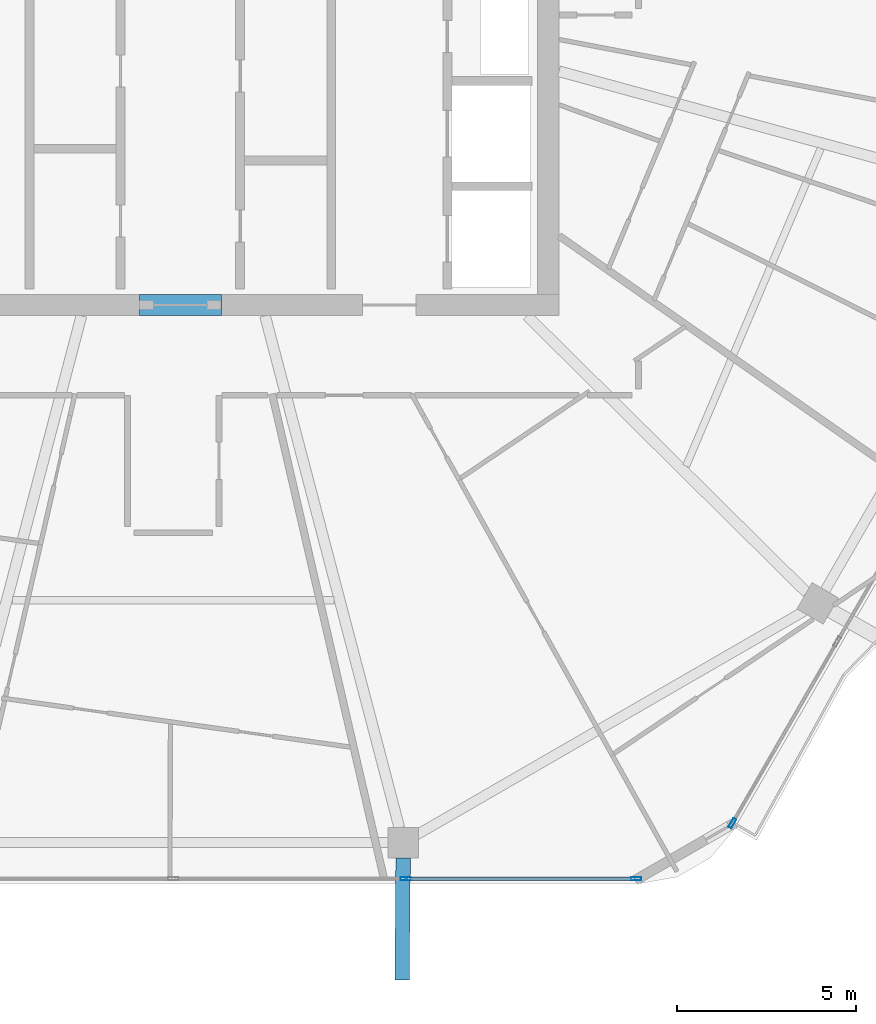
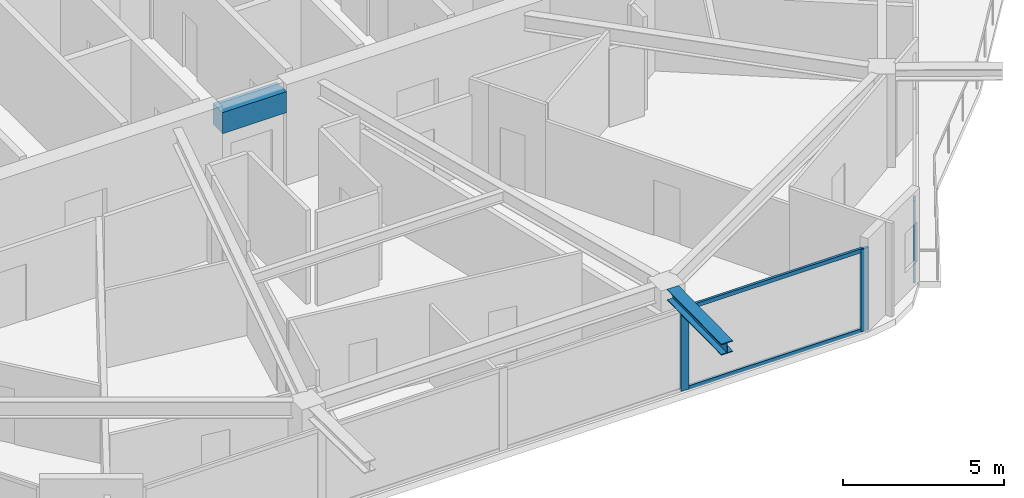
# One storey, part 7 of 26: 5 members, 2 beams, 2 elements without a shape of their own.
"""IFC4 building model written with IfcOpenShell, lengths in metres."""

from ifc_helpers import new_model, si_unit, direction, frame, origin, origin_2d, place, context, subcontext, project, spatial, rectangle, hollow_rectangle, i_section, extrude, material, material_profile, profile_set, type_object, element, aggregate, save


model = new_model("IFC4")

# Units and contexts
model_context = context("Model", 3, precision=1e-05, world=origin(), true_north=direction((0.0, 1.0)))
body_context = subcontext(model_context, "Body", "Model", "MODEL_VIEW")
ifc_project = project(units=[si_unit("LENGTHUNIT", "METRE"), si_unit("AREAUNIT", "SQUARE_METRE"), si_unit("VOLUMEUNIT", "CUBIC_METRE"), si_unit("PLANEANGLEUNIT", "RADIAN"), si_unit("MASSUNIT", "GRAM", prefix="KILO")], contexts=[model_context])

# Site, building, storey
site_placement = place(None, origin())
site = spatial("IfcSite", under=ifc_project, at=site_placement, CompositionType="ELEMENT")
building_placement = place(site_placement, origin())
building = spatial("IfcBuilding", under=site, at=building_placement, Name="Zuhravey Tower", CompositionType="ELEMENT")
storey_placement = place(building_placement, frame((0.0, 0.0, 280.60009765625)))
storey = spatial("IfcBuildingStorey", under=building, at=storey_placement, Name="L71", CompositionType="ELEMENT", Elevation=280.60009765625)

# Beam
ifc_material_1 = material(Name="Concrete C50/60", Category="concrete")
ifc_material_profile_1 = material_profile(ifc_material_1, rectangle(XDim=0.60009765625, YDim=0.800048828125, at=origin_2d()), Name="RC-600x800")
ifc_profile_set_1 = profile_set([ifc_material_profile_1], Name="Concrete C50/60")
beam_type_1 = type_object("IfcBeamType", Name="Core Coupling Beam RC600x800", PredefinedType="LINTEL", material=ifc_profile_set_1)
beam_1_placement = place(storey_placement, frame((35.052001953125, 22.5, 3.14990234375), z_axis=(1.0, 0.0, 0.0), x_axis=(0.0, 1.0, 0.0)))
element("IfcBeam", 1, at=beam_1_placement, inside=storey, type_object=beam_type_1, Name="L71 CB2 BM-L71-CB-S", PredefinedType="LINTEL", context=body_context, shape_type="SweptSolid", body=[
    extrude(rectangle(XDim=0.60009765625, YDim=0.800048828125, at=origin_2d()), origin(), (0.0, 0.0, 1.0), 2.2958984375),
])

# Curtain wall, member
ifc_material_2 = material(Name="Thermally broken anodised aluminium", Category="aluminium")
curtain_wall_type = type_object("IfcCurtainWallType", Name="Zone 3-4 High-Rise Curtain Wall CW4", PredefinedType="NOTDEFINED", material=ifc_material_2)
curtain_wall_1_placement = place(storey_placement, origin())
curtain_wall_1 = element("IfcCurtainWall", 2, at=curtain_wall_1_placement, inside=storey, type_object=curtain_wall_type, Name="L71 CW4 CW-L71-F6-1", PredefinedType="NOTDEFINED")
ifc_material_3 = material(Name="Anodised aluminium", Category="aluminium")
ifc_material_profile_2 = material_profile(ifc_material_3, hollow_rectangle(XDim=0.090087890625, YDim=0.284912109375, WallThickness=0.0048828125, at=origin_2d()), Name="ALU-RHS-90x285x5")
ifc_profile_set_2 = profile_set([ifc_material_profile_2], Name="Anodised aluminium")
member_type_1 = type_object("IfcMemberType", Name="Curtain-Wall Mullion 90x180", PredefinedType="MULLION", material=ifc_profile_set_2)
member_1_placement = place(storey_placement, frame((51.65478515625, 7.98779296875, 0.0), z_axis=(0.0, 0.0, 1.0), x_axis=(0.866024370591, -0.500001789539, 0.0)))
member_1 = element("IfcMember", 3, at=member_1_placement, type_object=member_type_1, Name="CW4 mullion 5", PredefinedType="MULLION", context=body_context, shape_type="SweptSolid", body=[
    extrude(hollow_rectangle(XDim=0.090087890625, YDim=0.284912109375, WallThickness=0.0048828125, at=origin_2d()), origin(), (0.0, 0.0, 1.0), 3.121826171875),
])
aggregate(curtain_wall_1, [member_1])

# Curtain wall, members
curtain_wall_2_placement = place(storey_placement, origin())
curtain_wall_2 = element("IfcCurtainWall", 4, at=curtain_wall_2_placement, inside=storey, type_object=curtain_wall_type, Name="L71 CW4 CW-L71-F5-1", PredefinedType="NOTDEFINED")
member_2_placement = place(storey_placement, frame((48.9677734375, 6.436279296875, 0.0), z_axis=(0.0, 0.0, 1.0), x_axis=(0.0, -1.0, 0.0)))
member_2 = element("IfcMember", 5, at=member_2_placement, type_object=member_type_1, Name="CW4 mullion 1", PredefinedType="MULLION", context=body_context, shape_type="SweptSolid", body=[
    extrude(hollow_rectangle(XDim=0.090087890625, YDim=0.284912109375, WallThickness=0.0048828125, at=origin_2d()), origin(), (0.0, 0.0, 1.0), 3.121826171875),
])
member_3_placement = place(storey_placement, frame((42.50634765625, 6.436279296875, 0.0), z_axis=(0.0, 0.0, 1.0), x_axis=(0.0, -1.0, 0.0)))
member_3 = element("IfcMember", 6, at=member_3_placement, type_object=member_type_1, Name="CW4 mullion 2", PredefinedType="MULLION", context=body_context, shape_type="SweptSolid", body=[
    extrude(hollow_rectangle(XDim=0.090087890625, YDim=0.284912109375, WallThickness=0.0048828125, at=origin_2d()), origin(), (0.0, 0.0, 1.0), 3.121826171875),
])
ifc_material_profile_3 = material_profile(ifc_material_3, hollow_rectangle(XDim=0.090087890625, YDim=0.14990234375, WallThickness=0.0048828125, at=origin_2d()), Name="ALU-RHS-90x150x5")
ifc_profile_set_3 = profile_set([ifc_material_profile_3], Name="Anodised aluminium")
member_type_2 = type_object("IfcMemberType", Name="Curtain-Wall Transom 90x150", PredefinedType="USERDEFINED", material=ifc_profile_set_3)
member_4_placement = place(storey_placement, frame((48.922607421875, 6.436279296875, 0.044921875), z_axis=(-1.0, 0.0, 0.0), x_axis=(0.0, -1.0, 0.0)))
member_4 = element("IfcMember", 7, at=member_4_placement, type_object=member_type_2, Name="CW4 transom 1.1", ObjectType="TRANSOM", PredefinedType="USERDEFINED", context=body_context, shape_type="SweptSolid", body=[
    extrude(hollow_rectangle(XDim=0.090087890625, YDim=0.14990234375, WallThickness=0.0048828125, at=origin_2d()), origin(), (0.0, 0.0, 1.0), 6.371337890625),
])
member_5_placement = place(storey_placement, frame((48.922607421875, 6.436279296875, 3.076904296875), z_axis=(-1.0, 0.0, 0.0), x_axis=(0.0, -1.0, 0.0)))
member_5 = element("IfcMember", 8, at=member_5_placement, type_object=member_type_2, Name="CW4 transom 1.2", ObjectType="TRANSOM", PredefinedType="USERDEFINED", context=body_context, shape_type="SweptSolid", body=[
    extrude(hollow_rectangle(XDim=0.090087890625, YDim=0.14990234375, WallThickness=0.0048828125, at=origin_2d()), origin(), (0.0, 0.0, 1.0), 6.371337890625),
])
aggregate(curtain_wall_2, [member_2, member_3, member_4, member_5])

# Beam
ifc_material_4 = material(Name="Steel SM460", Category="steel")
ifc_material_profile_4 = material_profile(ifc_material_4, i_section(OverallWidth=0.406982421875, OverallDepth=0.427978515625, WebThickness=0.02001953125, FlangeThickness=0.034912109375, at=origin_2d()), Name="H-428x407x20x35")
ifc_profile_set_4 = profile_set([ifc_material_profile_4], Name="Steel SM460")
beam_type_2 = type_object("IfcBeamType", Name="Exoskeleton Node Tie Beam H428x407", PredefinedType="BEAM", material=ifc_profile_set_4)
beam_2_placement = place(storey_placement, frame((42.437255859375, 7.017333984375, 3.3359375), z_axis=(-0.0086474754, -0.999962609886, 0.0), x_axis=(0.999962609886, -0.0086474754, 0.0)))
element("IfcBeam", 9, at=beam_2_placement, inside=storey, type_object=beam_type_2, Name="L71 Exoskeleton Node Tie NT1-10", PredefinedType="BEAM", context=body_context, shape_type="SweptSolid", body=[
    extrude(i_section(OverallWidth=0.406982421875, OverallDepth=0.427978515625, WebThickness=0.02001953125, FlangeThickness=0.034912109375, at=origin_2d()), origin(), (0.0, 0.0, 1.0), 3.416259765625),
])

save(model, "model.ifc")
